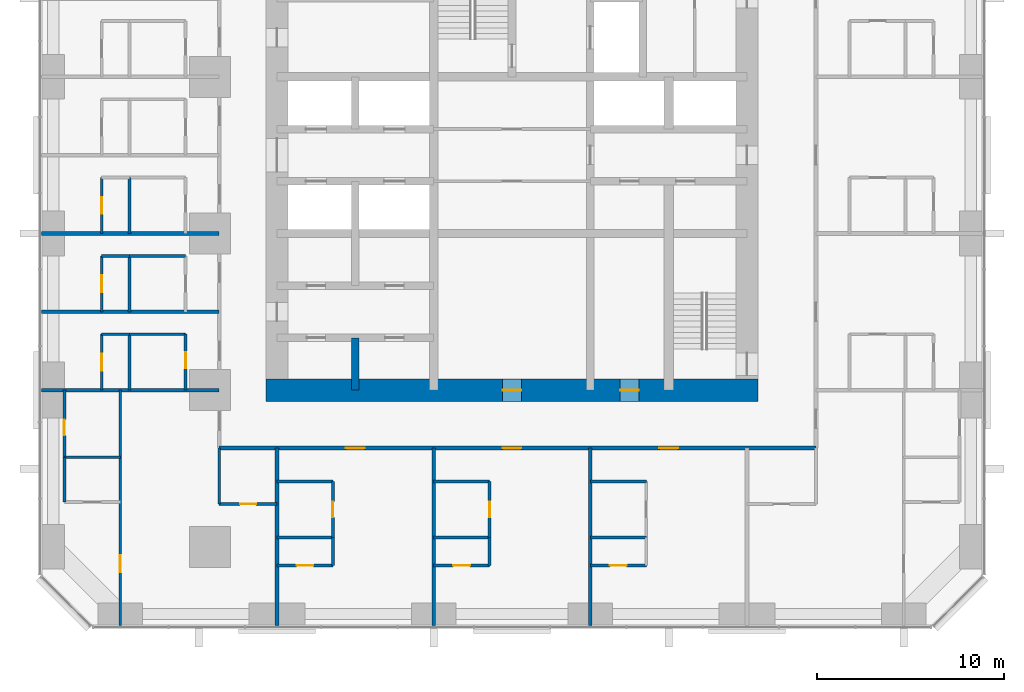
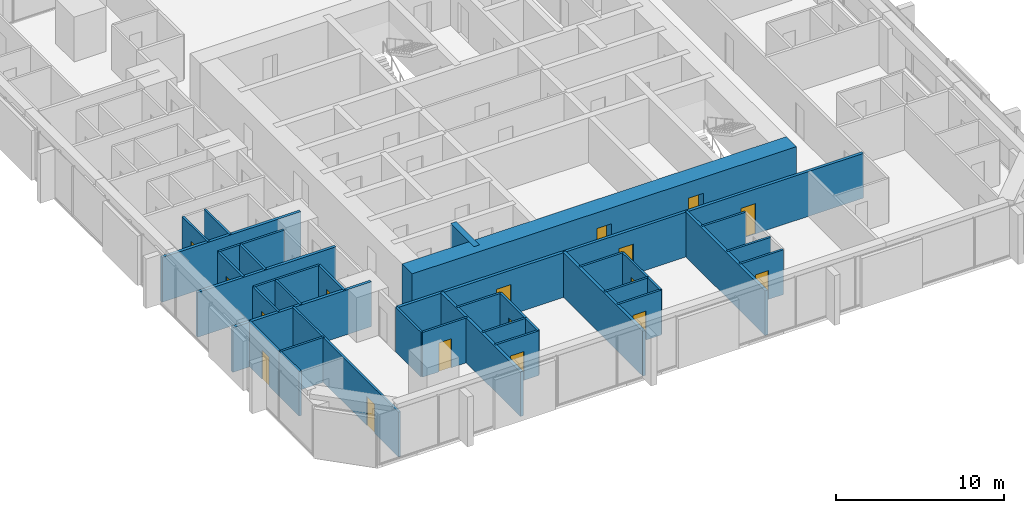
# One storey, part 8 of 13: 39 walls, 17 doors, 17 openings.
"""IFC4 building model written with IfcOpenShell, lengths in metres."""

from ifc_helpers import new_model, si_unit, direction, frame, frame_2d, origin, place, context, subcontext, project, spatial, rectangle, extrude, material, layer, layer_set, type_object, element, fill, save


model = new_model("IFC4")

# Units and contexts
model_context = context("Model", 3, precision=1e-05, world=origin(), true_north=direction((0.0, 1.0)))
body_context = subcontext(model_context, "Body", "Model", "MODEL_VIEW")
ifc_project = project(units=[si_unit("LENGTHUNIT", "METRE"), si_unit("AREAUNIT", "SQUARE_METRE"), si_unit("VOLUMEUNIT", "CUBIC_METRE"), si_unit("PLANEANGLEUNIT", "RADIAN"), si_unit("MASSUNIT", "GRAM", prefix="KILO")], contexts=[model_context])

# Site, building, storey
site_placement = place(None, origin())
site = spatial("IfcSite", under=ifc_project, at=site_placement, CompositionType="ELEMENT")
building_placement = place(site_placement, origin())
building = spatial("IfcBuilding", under=site, at=building_placement, Name="Dunama Terrace Hotel", CompositionType="ELEMENT")
storey_placement = place(building_placement, frame((0.0, 0.0, 162.60009765625)))
storey = spatial("IfcBuildingStorey", under=building, at=storey_placement, Name="L41", CompositionType="ELEMENT", Elevation=162.60009765625)

# Wall, opening, door
ifc_material_1 = material(Name="Gypsum board partition", Category="masonry")
ifc_layer_1 = layer(ifc_material_1, 0.14990234375)
ifc_layer_set_1 = layer_set([ifc_layer_1], Name="Bathroom partition 150")
wall_type_1 = type_object("IfcWallType", Name="Bathroom partition 150", PredefinedType="PARTITIONING", material=ifc_layer_set_1)
wall_1_placement = place(storey_placement, frame((5.39990234375, 13.199951171875, 0.0), z_axis=(0.0, 0.0, 1.0), x_axis=(0.0, 1.0, 0.0)))
wall_1 = element("IfcWall", 1, at=wall_1_placement, inside=storey, type_object=wall_type_1, Name="Bathroom partition 150 L41", PredefinedType="PARTITIONING", context=body_context, shape_type="SweptSolid", body=[
    extrude(rectangle(XDim=3.60009765625, YDim=0.14990234375, at=frame_2d((1.800048828125, 0.0))), origin(), (0.0, 0.0, 1.0), 3.25),
])
opening_1_placement = place(wall_1_placement, frame((1.175048828125, 0.0, 0.0)))
opening_1 = element("IfcOpeningElement", 2, at=opening_1_placement, cuts=wall_1, Name="Opening L41-048", PredefinedType="OPENING", context=body_context, shape_type="SweptSolid", body=[
    extrude(rectangle(XDim=0.85009765625, YDim=2.10009765625, at=frame_2d((0.425048828125, 1.050048828125))), frame((0.0, 0.0849609375, 0.0), z_axis=(0.0, -1.0, 0.0), x_axis=(1.0, 0.0, 0.0)), (0.0, 0.0, 1.0), 0.169921875),
])
ifc_material_2 = material(Name="Timber door with steel frame", Category="steel")
door_type_1 = type_object("IfcDoorType", Name="Bathroom door 850", OperationType="SINGLE_SWING_LEFT", PredefinedType="DOOR", material=ifc_material_2)
door_1_placement = place(opening_1_placement, frame((0.85009765625, 0.0, 0.0), z_axis=(0.0, 0.0, 1.0), x_axis=(-1.0, 0.0, 0.0)))
door_1 = element("IfcDoor", 3, at=door_1_placement, inside=storey, type_object=door_type_1, Name="Door to en-suite bathroom L41-048, type D2", OperationType="SINGLE_SWING_LEFT", OverallHeight=2.10009765625, OverallWidth=0.85009765625, PredefinedType="DOOR", context=body_context, shape_type="SweptSolid", body=[
    extrude(rectangle(XDim=0.85009765625, YDim=2.10009765625, at=frame_2d((0.425048828125, 1.050048828125))), frame((0.0, 0.025146484375, 0.0), z_axis=(0.0, -1.0, 0.0), x_axis=(1.0, 0.0, 0.0)), (0.0, 0.0, 1.0), 0.050048828125),
])
fill(opening_1, door_1)

wall_2_placement = place(storey_placement, frame((11.89990234375, 16.800048828125, 0.0), z_axis=(0.0, 0.0, 1.0), x_axis=(0.0, 1.0, 0.0)))
wall_2 = element("IfcWall", 4, at=wall_2_placement, inside=storey, type_object=wall_type_1, Name="Bathroom partition 150 L41", PredefinedType="PARTITIONING", context=body_context, shape_type="SweptSolid", body=[
    extrude(rectangle(XDim=3.0, YDim=0.14990234375, at=frame_2d((1.5, 0.0))), origin(), (0.0, 0.0, 1.0), 3.25),
])
opening_2_placement = place(wall_2_placement, frame((1.175048828125, 0.0, 0.0)))
opening_2 = element("IfcOpeningElement", 5, at=opening_2_placement, cuts=wall_2, Name="Opening L41-028", PredefinedType="OPENING", context=body_context, shape_type="SweptSolid", body=[
    extrude(rectangle(XDim=0.85009765625, YDim=2.10009765625, at=frame_2d((0.425048828125, 1.050048828125))), frame((0.0, 0.0849609375, 0.0), z_axis=(0.0, -1.0, 0.0), x_axis=(1.0, 0.0, 0.0)), (0.0, 0.0, 1.0), 0.169921875),
])
door_2_placement = place(opening_2_placement, origin())
door_2 = element("IfcDoor", 6, at=door_2_placement, inside=storey, type_object=door_type_1, Name="Door to en-suite bathroom L41-028, type D2", OperationType="SINGLE_SWING_LEFT", OverallHeight=2.10009765625, OverallWidth=0.85009765625, PredefinedType="DOOR", context=body_context, shape_type="SweptSolid", body=[
    extrude(rectangle(XDim=0.85009765625, YDim=2.10009765625, at=frame_2d((0.425048828125, 1.050048828125))), frame((0.0, 0.02490234375, 0.0), z_axis=(0.0, -1.0, 0.0), x_axis=(1.0, 0.0, 0.0)), (0.0, 0.0, 1.0), 0.050048828125),
])
fill(opening_2, door_2)

# Wall
wall_3_placement = place(storey_placement, frame((13.699951171875, 10.699951171875, 0.0), z_axis=(0.0, 0.0, 1.0), x_axis=(0.0, 1.0, 0.0)))
element("IfcWall", 7, at=wall_3_placement, inside=storey, type_object=wall_type_1, Name="Bathroom partition 150 L41", PredefinedType="PARTITIONING", context=body_context, shape_type="SweptSolid", body=[
    extrude(rectangle(XDim=3.0, YDim=0.14990234375, at=frame_2d((1.5, 0.0))), origin(), (0.0, 0.0, 1.0), 3.25),
])

# Wall, opening, door
wall_4_placement = place(storey_placement, frame((19.800048828125, 8.89990234375, 0.0), z_axis=(0.0, 0.0, 1.0), x_axis=(0.0, 1.0, 0.0)))
wall_4 = element("IfcWall", 8, at=wall_4_placement, inside=storey, type_object=wall_type_1, Name="Bathroom partition 150 L41", PredefinedType="PARTITIONING", context=body_context, shape_type="SweptSolid", body=[
    extrude(rectangle(XDim=3.0, YDim=0.14990234375, at=frame_2d((1.5, 0.0))), origin(), (0.0, 0.0, 1.0), 3.25),
])
opening_3_placement = place(wall_4_placement, frame((1.074951171875, 0.0, 0.0)))
opening_3 = element("IfcOpeningElement", 9, at=opening_3_placement, cuts=wall_4, Name="Opening L41-010", PredefinedType="OPENING", context=body_context, shape_type="SweptSolid", body=[
    extrude(rectangle(XDim=0.85009765625, YDim=2.10009765625, at=frame_2d((0.425048828125, 1.050048828125))), frame((0.0, 0.0849609375, 0.0), z_axis=(0.0, -1.0, 0.0), x_axis=(1.0, 0.0, 0.0)), (0.0, 0.0, 1.0), 0.169921875),
])
door_3_placement = place(opening_3_placement, origin())
door_3 = element("IfcDoor", 10, at=door_3_placement, inside=storey, type_object=door_type_1, Name="Door to en-suite bathroom L41-010, type D2", OperationType="SINGLE_SWING_LEFT", OverallHeight=2.10009765625, OverallWidth=0.85009765625, PredefinedType="DOOR", context=body_context, shape_type="SweptSolid", body=[
    extrude(rectangle(XDim=0.85009765625, YDim=2.10009765625, at=frame_2d((0.425048828125, 1.050048828125))), frame((0.0, 0.02490234375, 0.0), z_axis=(0.0, -1.0, 0.0), x_axis=(1.0, 0.0, 0.0)), (0.0, 0.0, 1.0), 0.050048828125),
])
fill(opening_3, door_3)

wall_5_placement = place(storey_placement, frame((28.199951171875, 8.89990234375, 0.0), z_axis=(0.0, 0.0, 1.0), x_axis=(0.0, 1.0, 0.0)))
wall_5 = element("IfcWall", 11, at=wall_5_placement, inside=storey, type_object=wall_type_1, Name="Bathroom partition 150 L41", PredefinedType="PARTITIONING", context=body_context, shape_type="SweptSolid", body=[
    extrude(rectangle(XDim=3.0, YDim=0.14990234375, at=frame_2d((1.5, 0.0))), origin(), (0.0, 0.0, 1.0), 3.25),
])
opening_4_placement = place(wall_5_placement, frame((1.074951171875, 0.0, 0.0)))
opening_4 = element("IfcOpeningElement", 12, at=opening_4_placement, cuts=wall_5, Name="Opening L41-013", PredefinedType="OPENING", context=body_context, shape_type="SweptSolid", body=[
    extrude(rectangle(XDim=0.85009765625, YDim=2.10009765625, at=frame_2d((0.425048828125, 1.050048828125))), frame((0.0, 0.0849609375, 0.0), z_axis=(0.0, -1.0, 0.0), x_axis=(1.0, 0.0, 0.0)), (0.0, 0.0, 1.0), 0.169921875),
])
door_4_placement = place(opening_4_placement, origin())
door_4 = element("IfcDoor", 13, at=door_4_placement, inside=storey, type_object=door_type_1, Name="Door to en-suite bathroom L41-013, type D2", OperationType="SINGLE_SWING_LEFT", OverallHeight=2.10009765625, OverallWidth=0.85009765625, PredefinedType="DOOR", context=body_context, shape_type="SweptSolid", body=[
    extrude(rectangle(XDim=0.85009765625, YDim=2.10009765625, at=frame_2d((0.425048828125, 1.050048828125))), frame((0.0, 0.02490234375, 0.0), z_axis=(0.0, -1.0, 0.0), x_axis=(1.0, 0.0, 0.0)), (0.0, 0.0, 1.0), 0.050048828125),
])
fill(opening_4, door_4)

wall_6_placement = place(storey_placement, frame((13.699951171875, 10.699951171875, 0.0), z_axis=(0.0, 0.0, 1.0), x_axis=(1.0, 0.0, 0.0)))
wall_6 = element("IfcWall", 14, at=wall_6_placement, inside=storey, type_object=wall_type_1, Name="Bathroom partition 150 L41", PredefinedType="PARTITIONING", context=body_context, shape_type="SweptSolid", body=[
    extrude(rectangle(XDim=3.10009765625, YDim=0.14990234375, at=frame_2d((1.550048828125, 0.0))), origin(), (0.0, 0.0, 1.0), 3.25),
])
opening_5_placement = place(wall_6_placement, frame((1.125, 0.0, 0.0)))
opening_5 = element("IfcOpeningElement", 15, at=opening_5_placement, cuts=wall_6, Name="Opening L41-046", PredefinedType="OPENING", context=body_context, shape_type="SweptSolid", body=[
    extrude(rectangle(XDim=0.85009765625, YDim=2.10009765625, at=frame_2d((0.425048828125, 1.050048828125))), frame((0.0, 0.0849609375, 0.0), z_axis=(0.0, -1.0, 0.0), x_axis=(1.0, 0.0, 0.0)), (0.0, 0.0, 1.0), 0.169921875),
])
door_5_placement = place(opening_5_placement, origin())
door_5 = element("IfcDoor", 16, at=door_5_placement, inside=storey, type_object=door_type_1, Name="Door to powder room L41-046, type D2", OperationType="SINGLE_SWING_RIGHT", OverallHeight=2.10009765625, OverallWidth=0.85009765625, PredefinedType="DOOR", context=body_context, shape_type="SweptSolid", body=[
    extrude(rectangle(XDim=0.85009765625, YDim=2.10009765625, at=frame_2d((0.425048828125, 1.050048828125))), frame((0.0, 0.02490234375, 0.0), z_axis=(0.0, -1.0, 0.0), x_axis=(1.0, 0.0, 0.0)), (0.0, 0.0, 1.0), 0.050048828125),
])
fill(opening_5, door_5)

# Walls
for number, where, z_axis, x_axis, name in (
    (17, (16.800048828125, 11.89990234375, 0.0), (0.0, 0.0, 1.0), (1.0, 0.0, 0.0), "Bathroom partition 150 L41"),
    (18, (25.199951171875, 11.89990234375, 0.0), (0.0, 0.0, 1.0), (1.0, 0.0, 0.0), "Bathroom partition 150 L41"),
    (19, (33.60009765625, 11.89990234375, 0.0), (0.0, 0.0, 1.0), (1.0, 0.0, 0.0), "Bathroom partition 150 L41"),
    (20, (8.89990234375, 19.800048828125, 0.0), (0.0, 0.0, 1.0), (1.0, 0.0, 0.0), "Bathroom partition 150 L41"),
    (21, (8.89990234375, 24.0, 0.0), (0.0, 0.0, 1.0), (1.0, 0.0, 0.0), "Bathroom partition 150 L41"),
):
    element("IfcWall", number, at=place(storey_placement, frame(where, z_axis=z_axis, x_axis=x_axis)), inside=storey, type_object=wall_type_1, Name=name, PredefinedType="PARTITIONING", context=body_context, shape_type="SweptSolid", body=[
        extrude(rectangle(XDim=3.0, YDim=0.14990234375, at=frame_2d((1.5, 0.0))), origin(), (0.0, 0.0, 1.0), 3.25),
    ])
ifc_material_3 = material(Name="Concrete C50/60", Category="concrete")
ifc_layer_2 = layer(ifc_material_3, 0.39990234375)
ifc_layer_set_2 = layer_set([ifc_layer_2], Name="Core inner wall 400")
wall_type_2 = type_object("IfcWallType", Name="Core inner wall 400", PredefinedType="SHEAR", material=ifc_layer_set_2)
wall_7_placement = place(storey_placement, frame((21.0, 16.800048828125, -0.35009765625), z_axis=(0.0, 0.0, 1.0), x_axis=(0.0, 1.0, 0.0)))
element("IfcWall", 22, at=wall_7_placement, inside=storey, type_object=wall_type_2, Name="Core inner wall 400 L41", PredefinedType="SHEAR", context=body_context, shape_type="SweptSolid", body=[
    extrude(rectangle(XDim=2.800048828125, YDim=0.39990234375, at=frame_2d((1.39990234375, 0.0))), origin(), (0.0, 0.0, 1.0), 3.60009765625),
])

# Wall, openings, doors
ifc_material_4 = material(Name="Concrete C60/75", Category="concrete")
ifc_layer_3 = layer(ifc_material_4, 1.199951171875)
ifc_layer_set_3 = layer_set([ifc_layer_3], Name="Core wall 1200")
wall_type_3 = type_object("IfcWallType", Name="Core wall 1200", PredefinedType="SHEAR", material=ifc_layer_set_3)
wall_8_placement = place(storey_placement, frame((16.199951171875, 16.800048828125, -0.35009765625), z_axis=(0.0, 0.0, 1.0), x_axis=(1.0, 0.0, 0.0)))
wall_8 = element("IfcWall", 23, at=wall_8_placement, inside=storey, type_object=wall_type_3, Name="Core wall south L41", PredefinedType="SHEAR", context=body_context, shape_type="SweptSolid", body=[
    extrude(rectangle(XDim=26.400146484375, YDim=1.199951171875, at=frame_2d((13.2001953125, 0.0))), origin(), (0.0, 0.0, 1.0), 3.60009765625),
])
opening_6_placement = place(wall_8_placement, frame((12.699951171875, 0.0, 0.35009765625)))
opening_6 = element("IfcOpeningElement", 24, at=opening_6_placement, cuts=wall_8, Name="Opening L41-082", PredefinedType="OPENING", context=body_context, shape_type="SweptSolid", body=[
    extrude(rectangle(XDim=1.0, YDim=2.10009765625, at=frame_2d((0.5, 1.050048828125))), frame((0.0, 0.60986328125, 0.0), z_axis=(0.0, -1.0, 0.0), x_axis=(1.0, 0.0, 0.0)), (0.0, 0.0, 1.0), 1.219970703125),
])
opening_7_placement = place(wall_8_placement, frame((19.0, 0.0, 0.35009765625)))
opening_7 = element("IfcOpeningElement", 25, at=opening_7_placement, cuts=wall_8, Name="Opening L41-083", PredefinedType="OPENING", context=body_context, shape_type="SweptSolid", body=[
    extrude(rectangle(XDim=1.0, YDim=2.10009765625, at=frame_2d((0.5, 1.050048828125))), frame((0.0, 0.60986328125, 0.0), z_axis=(0.0, -1.0, 0.0), x_axis=(1.0, 0.0, 0.0)), (0.0, 0.0, 1.0), 1.219970703125),
])
ifc_material_5 = material(Name="Timber door with steel frame", Category="steel")
door_type_2 = type_object("IfcDoorType", Name="Service door 1000", OperationType="SINGLE_SWING_LEFT", PredefinedType="DOOR", material=ifc_material_5)
door_6_placement = place(opening_6_placement, origin())
door_6 = element("IfcDoor", 26, at=door_6_placement, inside=storey, type_object=door_type_2, Name="Door to corridor air handling room L41-082, type D7", OperationType="SINGLE_SWING_LEFT", OverallHeight=2.10009765625, OverallWidth=1.0, PredefinedType="DOOR", context=body_context, shape_type="SweptSolid", body=[
    extrude(rectangle(XDim=1.0, YDim=2.10009765625, at=frame_2d((0.5, 1.050048828125))), frame((0.0, 0.02490234375, 0.0), z_axis=(0.0, -1.0, 0.0), x_axis=(1.0, 0.0, 0.0)), (0.0, 0.0, 1.0), 0.050048828125),
])
fill(opening_6, door_6)
door_7_placement = place(opening_7_placement, origin())
door_7 = element("IfcDoor", 27, at=door_7_placement, inside=storey, type_object=door_type_2, Name="Door to water riser room L41-083, type D7", OperationType="SINGLE_SWING_RIGHT", OverallHeight=2.10009765625, OverallWidth=1.0, PredefinedType="DOOR", context=body_context, shape_type="SweptSolid", body=[
    extrude(rectangle(XDim=1.0, YDim=2.10009765625, at=frame_2d((0.5, 1.050048828125))), frame((0.0, 0.02490234375, 0.0), z_axis=(0.0, -1.0, 0.0), x_axis=(1.0, 0.0, 0.0)), (0.0, 0.0, 1.0), 0.050048828125),
])
fill(opening_7, door_7)

ifc_material_6 = material(Name="Concrete blockwork", Category="masonry")
ifc_layer_4 = layer(ifc_material_6, 0.199951171875)
ifc_layer_set_4 = layer_set([ifc_layer_4], Name="Corridor partition 200")
wall_type_4 = type_object("IfcWallType", Name="Corridor partition 200", PredefinedType="PARTITIONING", material=ifc_layer_set_4)
wall_9_placement = place(storey_placement, frame((45.699951171875, 13.699951171875, 0.0), z_axis=(0.0, 0.0, 1.0), x_axis=(-1.0, 0.0, 0.0)))
wall_9 = element("IfcWall", 28, at=wall_9_placement, inside=storey, type_object=wall_type_4, Name="Corridor partition 200 L41", PredefinedType="PARTITIONING", context=body_context, shape_type="SweptSolid", body=[
    extrude(rectangle(XDim=32.0, YDim=0.199951171875, at=frame_2d((16.0, 0.0))), origin(), (0.0, 0.0, 1.0), 3.25),
])
opening_8_placement = place(wall_9_placement, frame((24.199951171875, 0.0, 0.0)))
opening_8 = element("IfcOpeningElement", 29, at=opening_8_placement, cuts=wall_9, Name="Opening L41-009", PredefinedType="OPENING", context=body_context, shape_type="SweptSolid", body=[
    extrude(rectangle(XDim=1.0, YDim=2.199951171875, at=frame_2d((0.5, 1.10009765625))), frame((0.0, 0.10986328125, 0.0), z_axis=(0.0, -1.0, 0.0), x_axis=(1.0, 0.0, 0.0)), (0.0, 0.0, 1.0), 0.219970703125),
])
opening_9_placement = place(wall_9_placement, frame((15.800048828125, 0.0, 0.0)))
opening_9 = element("IfcOpeningElement", 30, at=opening_9_placement, cuts=wall_9, Name="Opening L41-012", PredefinedType="OPENING", context=body_context, shape_type="SweptSolid", body=[
    extrude(rectangle(XDim=1.0, YDim=2.199951171875, at=frame_2d((0.5, 1.10009765625))), frame((0.0, 0.10986328125, 0.0), z_axis=(0.0, -1.0, 0.0), x_axis=(1.0, 0.0, 0.0)), (0.0, 0.0, 1.0), 0.219970703125),
])
opening_10_placement = place(wall_9_placement, frame((7.39990234375, 0.0, 0.0)))
opening_10 = element("IfcOpeningElement", 31, at=opening_10_placement, cuts=wall_9, Name="Opening L41-015", PredefinedType="OPENING", context=body_context, shape_type="SweptSolid", body=[
    extrude(rectangle(XDim=1.0, YDim=2.199951171875, at=frame_2d((0.5, 1.10009765625))), frame((0.0, 0.10986328125, 0.0), z_axis=(0.0, -1.0, 0.0), x_axis=(1.0, 0.0, 0.0)), (0.0, 0.0, 1.0), 0.219970703125),
])
ifc_material_7 = material(Name="Timber door with steel frame", Category="steel")
door_type_3 = type_object("IfcDoorType", Name="Guest room door 1000", OperationType="SINGLE_SWING_LEFT", PredefinedType="DOOR", material=ifc_material_7)
door_8_placement = place(opening_8_placement, origin())
door_8 = element("IfcDoor", 32, at=door_8_placement, inside=storey, type_object=door_type_3, Name="Door to junior suite L41-009, type D1", OperationType="SINGLE_SWING_RIGHT", OverallHeight=2.199951171875, OverallWidth=1.0, PredefinedType="DOOR", context=body_context, shape_type="SweptSolid", body=[
    extrude(rectangle(XDim=1.0, YDim=2.199951171875, at=frame_2d((0.5, 1.10009765625))), frame((0.0, 0.02490234375, 0.0), z_axis=(0.0, -1.0, 0.0), x_axis=(1.0, 0.0, 0.0)), (0.0, 0.0, 1.0), 0.050048828125),
])
fill(opening_8, door_8)
door_9_placement = place(opening_9_placement, origin())
door_9 = element("IfcDoor", 33, at=door_9_placement, inside=storey, type_object=door_type_3, Name="Door to junior suite L41-012, type D1", OperationType="SINGLE_SWING_RIGHT", OverallHeight=2.199951171875, OverallWidth=1.0, PredefinedType="DOOR", context=body_context, shape_type="SweptSolid", body=[
    extrude(rectangle(XDim=1.0, YDim=2.199951171875, at=frame_2d((0.5, 1.10009765625))), frame((0.0, 0.02490234375, 0.0), z_axis=(0.0, -1.0, 0.0), x_axis=(1.0, 0.0, 0.0)), (0.0, 0.0, 1.0), 0.050048828125),
])
fill(opening_9, door_9)
door_10_placement = place(opening_10_placement, origin())
door_10 = element("IfcDoor", 34, at=door_10_placement, inside=storey, type_object=door_type_3, Name="Door to junior suite L41-015, type D1", OperationType="SINGLE_SWING_RIGHT", OverallHeight=2.199951171875, OverallWidth=1.0, PredefinedType="DOOR", context=body_context, shape_type="SweptSolid", body=[
    extrude(rectangle(XDim=1.0, YDim=2.199951171875, at=frame_2d((0.5, 1.10009765625))), frame((0.0, 0.02490234375, 0.0), z_axis=(0.0, -1.0, 0.0), x_axis=(1.0, 0.0, 0.0)), (0.0, 0.0, 1.0), 0.050048828125),
])
fill(opening_10, door_10)

# Walls
ifc_material_8 = material(Name="Concrete blockwork", Category="masonry")
ifc_layer_5 = layer(ifc_material_8, 0.199951171875)
ifc_layer_set_5 = layer_set([ifc_layer_5], Name="Party wall 200")
wall_type_5 = type_object("IfcWallType", Name="Party wall 200", PredefinedType="PARTITIONING", material=ifc_layer_set_5)
for number, where, z_axis, x_axis, name in (
    (35, (16.800048828125, 4.181884765625, 0.0), (0.0, 0.0, 1.0), (0.0, 1.0, 0.0), "Party wall 200 L41"),
    (36, (25.199951171875, 4.181884765625, 0.0), (0.0, 0.0, 1.0), (0.0, 1.0, 0.0), "Party wall 200 L41"),
    (37, (33.60009765625, 4.181884765625, 0.0), (0.0, 0.0, 1.0), (0.0, 1.0, 0.0), "Party wall 200 L41"),
    (38, (4.181884765625, 16.800048828125, 0.0), (0.0, 0.0, 1.0), (1.0, 0.0, 0.0), "Party wall 200 L41"),
    (39, (4.181884765625, 21.0, 0.0), (0.0, 0.0, 1.0), (1.0, 0.0, 0.0), "Party wall 200 L41"),
    (40, (4.181884765625, 25.199951171875, 0.0), (0.0, 0.0, 1.0), (1.0, 0.0, 0.0), "Party wall 200 L41"),
):
    element("IfcWall", number, at=place(storey_placement, frame(where, z_axis=z_axis, x_axis=x_axis)), inside=storey, type_object=wall_type_5, Name=name, PredefinedType="PARTITIONING", context=body_context, shape_type="SweptSolid", body=[
        extrude(rectangle(XDim=9.51806640625, YDim=0.199951171875, at=frame_2d((4.759033203125, 0.0))), origin(), (0.0, 0.0, 1.0), 3.25),
    ])
ifc_material_9 = material(Name="Gypsum board partition", Category="masonry")
ifc_layer_6 = layer(ifc_material_9, 0.14990234375)
ifc_layer_set_6 = layer_set([ifc_layer_6], Name="Room partition 150")
wall_type_6 = type_object("IfcWallType", Name="Room partition 150", PredefinedType="PARTITIONING", material=ifc_layer_set_6)
wall_10_placement = place(storey_placement, frame((5.39990234375, 10.800048828125, 0.0), z_axis=(0.0, 0.0, 1.0), x_axis=(0.0, 1.0, 0.0)))
element("IfcWall", 41, at=wall_10_placement, inside=storey, type_object=wall_type_6, Name="Room partition 150 L41", PredefinedType="PARTITIONING", context=body_context, shape_type="SweptSolid", body=[
    extrude(rectangle(XDim=2.39990234375, YDim=0.14990234375, at=frame_2d((1.199951171875, 0.0))), origin(), (0.0, 0.0, 1.0), 3.25),
])

# Wall, opening, door
wall_11_placement = place(storey_placement, frame((7.39990234375, 16.800048828125, 0.0), z_axis=(0.0, 0.0, 1.0), x_axis=(0.0, 1.0, 0.0)))
wall_11 = element("IfcWall", 42, at=wall_11_placement, inside=storey, type_object=wall_type_6, Name="Room partition 150 L41", PredefinedType="PARTITIONING", context=body_context, shape_type="SweptSolid", body=[
    extrude(rectangle(XDim=3.0, YDim=0.14990234375, at=frame_2d((1.5, 0.0))), origin(), (0.0, 0.0, 1.0), 3.25),
])
opening_11_placement = place(wall_11_placement, frame((1.050048828125, 0.0, 0.0)))
opening_11 = element("IfcOpeningElement", 43, at=opening_11_placement, cuts=wall_11, Name="Opening L41-029", PredefinedType="OPENING", context=body_context, shape_type="SweptSolid", body=[
    extrude(rectangle(XDim=0.89990234375, YDim=2.10009765625, at=frame_2d((0.449951171875, 1.050048828125))), frame((0.0, 0.0849609375, 0.0), z_axis=(0.0, -1.0, 0.0), x_axis=(1.0, 0.0, 0.0)), (0.0, 0.0, 1.0), 0.169921875),
])
ifc_material_10 = material(Name="Timber door with steel frame", Category="steel")
door_type_4 = type_object("IfcDoorType", Name="Suite internal door 900", OperationType="SINGLE_SWING_LEFT", PredefinedType="DOOR", material=ifc_material_10)
door_11_placement = place(opening_11_placement, frame((0.89990234375, 0.0, 0.0), z_axis=(0.0, 0.0, 1.0), x_axis=(-1.0, 0.0, 0.0)))
door_11 = element("IfcDoor", 44, at=door_11_placement, inside=storey, type_object=door_type_4, Name="Door to walk-in wardrobe L41-029, type D16", OperationType="SINGLE_SWING_RIGHT", OverallHeight=2.10009765625, OverallWidth=0.89990234375, PredefinedType="DOOR", context=body_context, shape_type="SweptSolid", body=[
    extrude(rectangle(XDim=0.89990234375, YDim=2.10009765625, at=frame_2d((0.449951171875, 1.050048828125))), frame((0.0, 0.025146484375, 0.0), z_axis=(0.0, -1.0, 0.0), x_axis=(1.0, 0.0, 0.0)), (0.0, 0.0, 1.0), 0.050048828125),
])
fill(opening_11, door_11)

wall_12_placement = place(storey_placement, frame((7.39990234375, 21.0, 0.0), z_axis=(0.0, 0.0, 1.0), x_axis=(0.0, 1.0, 0.0)))
wall_12 = element("IfcWall", 45, at=wall_12_placement, inside=storey, type_object=wall_type_6, Name="Room partition 150 L41", PredefinedType="PARTITIONING", context=body_context, shape_type="SweptSolid", body=[
    extrude(rectangle(XDim=3.0, YDim=0.14990234375, at=frame_2d((1.5, 0.0))), origin(), (0.0, 0.0, 1.0), 3.25),
])
opening_12_placement = place(wall_12_placement, frame((1.050048828125, 0.0, 0.0)))
opening_12 = element("IfcOpeningElement", 46, at=opening_12_placement, cuts=wall_12, Name="Opening L41-032", PredefinedType="OPENING", context=body_context, shape_type="SweptSolid", body=[
    extrude(rectangle(XDim=0.89990234375, YDim=2.10009765625, at=frame_2d((0.449951171875, 1.050048828125))), frame((0.0, 0.0849609375, 0.0), z_axis=(0.0, -1.0, 0.0), x_axis=(1.0, 0.0, 0.0)), (0.0, 0.0, 1.0), 0.169921875),
])
door_12_placement = place(opening_12_placement, frame((0.89990234375, 0.0, 0.0), z_axis=(0.0, 0.0, 1.0), x_axis=(-1.0, 0.0, 0.0)))
door_12 = element("IfcDoor", 47, at=door_12_placement, inside=storey, type_object=door_type_4, Name="Door to walk-in wardrobe L41-032, type D16", OperationType="SINGLE_SWING_RIGHT", OverallHeight=2.10009765625, OverallWidth=0.89990234375, PredefinedType="DOOR", context=body_context, shape_type="SweptSolid", body=[
    extrude(rectangle(XDim=0.89990234375, YDim=2.10009765625, at=frame_2d((0.449951171875, 1.050048828125))), frame((0.0, 0.025146484375, 0.0), z_axis=(0.0, -1.0, 0.0), x_axis=(1.0, 0.0, 0.0)), (0.0, 0.0, 1.0), 0.050048828125),
])
fill(opening_12, door_12)

wall_13_placement = place(storey_placement, frame((7.39990234375, 25.199951171875, 0.0), z_axis=(0.0, 0.0, 1.0), x_axis=(0.0, 1.0, 0.0)))
wall_13 = element("IfcWall", 48, at=wall_13_placement, inside=storey, type_object=wall_type_6, Name="Room partition 150 L41", PredefinedType="PARTITIONING", context=body_context, shape_type="SweptSolid", body=[
    extrude(rectangle(XDim=3.0, YDim=0.14990234375, at=frame_2d((1.5, 0.0))), origin(), (0.0, 0.0, 1.0), 3.25),
])
opening_13_placement = place(wall_13_placement, frame((1.050048828125, 0.0, 0.0)))
opening_13 = element("IfcOpeningElement", 49, at=opening_13_placement, cuts=wall_13, Name="Opening L41-035", PredefinedType="OPENING", context=body_context, shape_type="SweptSolid", body=[
    extrude(rectangle(XDim=0.89990234375, YDim=2.10009765625, at=frame_2d((0.449951171875, 1.050048828125))), frame((0.0, 0.0849609375, 0.0), z_axis=(0.0, -1.0, 0.0), x_axis=(1.0, 0.0, 0.0)), (0.0, 0.0, 1.0), 0.169921875),
])
door_13_placement = place(opening_13_placement, frame((0.89990234375, 0.0, 0.0), z_axis=(0.0, 0.0, 1.0), x_axis=(-1.0, 0.0, 0.0)))
door_13 = element("IfcDoor", 50, at=door_13_placement, inside=storey, type_object=door_type_4, Name="Door to walk-in wardrobe L41-035, type D16", OperationType="SINGLE_SWING_RIGHT", OverallHeight=2.10009765625, OverallWidth=0.89990234375, PredefinedType="DOOR", context=body_context, shape_type="SweptSolid", body=[
    extrude(rectangle(XDim=0.89990234375, YDim=2.10009765625, at=frame_2d((0.449951171875, 1.050048828125))), frame((0.0, 0.025146484375, 0.0), z_axis=(0.0, -1.0, 0.0), x_axis=(1.0, 0.0, 0.0)), (0.0, 0.0, 1.0), 0.050048828125),
])
fill(opening_13, door_13)

wall_14_placement = place(storey_placement, frame((8.39990234375, 4.181884765625, 0.0), z_axis=(0.0, 0.0, 1.0), x_axis=(0.0, 1.0, 0.0)))
wall_14 = element("IfcWall", 51, at=wall_14_placement, inside=storey, type_object=wall_type_6, Name="Room partition 150 L41", PredefinedType="PARTITIONING", context=body_context, shape_type="SweptSolid", body=[
    extrude(rectangle(XDim=12.6181640625, YDim=0.14990234375, at=frame_2d((6.30908203125, 0.0))), origin(), (0.0, 0.0, 1.0), 3.25),
])
opening_14_placement = place(wall_14_placement, frame((2.867919921875, 0.0, 0.0)))
opening_14 = element("IfcOpeningElement", 52, at=opening_14_placement, cuts=wall_14, Name="Opening L41-047", PredefinedType="OPENING", context=body_context, shape_type="SweptSolid", body=[
    extrude(rectangle(XDim=0.89990234375, YDim=2.10009765625, at=frame_2d((0.449951171875, 1.050048828125))), frame((0.0, 0.0849609375, 0.0), z_axis=(0.0, -1.0, 0.0), x_axis=(1.0, 0.0, 0.0)), (0.0, 0.0, 1.0), 0.169921875),
])
door_14_placement = place(opening_14_placement, origin())
door_14 = element("IfcDoor", 53, at=door_14_placement, inside=storey, type_object=door_type_4, Name="Door to corner suite bedroom L41-047, type D16", OperationType="SINGLE_SWING_LEFT", OverallHeight=2.10009765625, OverallWidth=0.89990234375, PredefinedType="DOOR", context=body_context, shape_type="SweptSolid", body=[
    extrude(rectangle(XDim=0.89990234375, YDim=2.10009765625, at=frame_2d((0.449951171875, 1.050048828125))), frame((0.0, 0.02490234375, 0.0), z_axis=(0.0, -1.0, 0.0), x_axis=(1.0, 0.0, 0.0)), (0.0, 0.0, 1.0), 0.050048828125),
])
fill(opening_14, door_14)

# Walls
for number, where, z_axis, x_axis, name in (
    (54, (8.89990234375, 16.800048828125, 0.0), (0.0, 0.0, 1.0), (0.0, 1.0, 0.0), "Room partition 150 L41"),
    (55, (8.89990234375, 21.0, 0.0), (0.0, 0.0, 1.0), (0.0, 1.0, 0.0), "Room partition 150 L41"),
    (56, (8.89990234375, 25.199951171875, 0.0), (0.0, 0.0, 1.0), (0.0, 1.0, 0.0), "Room partition 150 L41"),
):
    element("IfcWall", number, at=place(storey_placement, frame(where, z_axis=z_axis, x_axis=x_axis)), inside=storey, type_object=wall_type_6, Name=name, PredefinedType="PARTITIONING", context=body_context, shape_type="SweptSolid", body=[
        extrude(rectangle(XDim=3.0, YDim=0.14990234375, at=frame_2d((1.5, 0.0))), origin(), (0.0, 0.0, 1.0), 3.25),
    ])
for number, where, z_axis, x_axis, name in (
    (57, (19.800048828125, 7.39990234375, 0.0), (0.0, 0.0, 1.0), (0.0, 1.0, 0.0), "Room partition 150 L41"),
    (58, (28.199951171875, 7.39990234375, 0.0), (0.0, 0.0, 1.0), (0.0, 1.0, 0.0), "Room partition 150 L41"),
):
    element("IfcWall", number, at=place(storey_placement, frame(where, z_axis=z_axis, x_axis=x_axis)), inside=storey, type_object=wall_type_6, Name=name, PredefinedType="PARTITIONING", context=body_context, shape_type="SweptSolid", body=[
        extrude(rectangle(XDim=1.5, YDim=0.14990234375, at=frame_2d((0.75, 0.0))), origin(), (0.0, 0.0, 1.0), 3.25),
    ])

# Wall, opening, door
wall_15_placement = place(storey_placement, frame((16.800048828125, 7.39990234375, 0.0), z_axis=(0.0, 0.0, 1.0), x_axis=(1.0, 0.0, 0.0)))
wall_15 = element("IfcWall", 59, at=wall_15_placement, inside=storey, type_object=wall_type_6, Name="Room partition 150 L41", PredefinedType="PARTITIONING", context=body_context, shape_type="SweptSolid", body=[
    extrude(rectangle(XDim=3.0, YDim=0.14990234375, at=frame_2d((1.5, 0.0))), origin(), (0.0, 0.0, 1.0), 3.25),
])
opening_15_placement = place(wall_15_placement, frame((1.050048828125, 0.0, 0.0)))
opening_15 = element("IfcOpeningElement", 60, at=opening_15_placement, cuts=wall_15, Name="Opening L41-011", PredefinedType="OPENING", context=body_context, shape_type="SweptSolid", body=[
    extrude(rectangle(XDim=0.89990234375, YDim=2.10009765625, at=frame_2d((0.449951171875, 1.050048828125))), frame((0.0, 0.0849609375, 0.0), z_axis=(0.0, -1.0, 0.0), x_axis=(1.0, 0.0, 0.0)), (0.0, 0.0, 1.0), 0.169921875),
])
door_15_placement = place(opening_15_placement, origin())
door_15 = element("IfcDoor", 61, at=door_15_placement, inside=storey, type_object=door_type_4, Name="Door to walk-in wardrobe L41-011, type D16", OperationType="SINGLE_SWING_LEFT", OverallHeight=2.10009765625, OverallWidth=0.89990234375, PredefinedType="DOOR", context=body_context, shape_type="SweptSolid", body=[
    extrude(rectangle(XDim=0.89990234375, YDim=2.10009765625, at=frame_2d((0.449951171875, 1.050048828125))), frame((0.0, 0.02490234375, 0.0), z_axis=(0.0, -1.0, 0.0), x_axis=(1.0, 0.0, 0.0)), (0.0, 0.0, 1.0), 0.050048828125),
])
fill(opening_15, door_15)

wall_16_placement = place(storey_placement, frame((25.199951171875, 7.39990234375, 0.0), z_axis=(0.0, 0.0, 1.0), x_axis=(1.0, 0.0, 0.0)))
wall_16 = element("IfcWall", 62, at=wall_16_placement, inside=storey, type_object=wall_type_6, Name="Room partition 150 L41", PredefinedType="PARTITIONING", context=body_context, shape_type="SweptSolid", body=[
    extrude(rectangle(XDim=3.0, YDim=0.14990234375, at=frame_2d((1.5, 0.0))), origin(), (0.0, 0.0, 1.0), 3.25),
])
opening_16_placement = place(wall_16_placement, frame((1.050048828125, 0.0, 0.0)))
opening_16 = element("IfcOpeningElement", 63, at=opening_16_placement, cuts=wall_16, Name="Opening L41-014", PredefinedType="OPENING", context=body_context, shape_type="SweptSolid", body=[
    extrude(rectangle(XDim=0.89990234375, YDim=2.10009765625, at=frame_2d((0.449951171875, 1.050048828125))), frame((0.0, 0.0849609375, 0.0), z_axis=(0.0, -1.0, 0.0), x_axis=(1.0, 0.0, 0.0)), (0.0, 0.0, 1.0), 0.169921875),
])
door_16_placement = place(opening_16_placement, origin())
door_16 = element("IfcDoor", 64, at=door_16_placement, inside=storey, type_object=door_type_4, Name="Door to walk-in wardrobe L41-014, type D16", OperationType="SINGLE_SWING_LEFT", OverallHeight=2.10009765625, OverallWidth=0.89990234375, PredefinedType="DOOR", context=body_context, shape_type="SweptSolid", body=[
    extrude(rectangle(XDim=0.89990234375, YDim=2.10009765625, at=frame_2d((0.449951171875, 1.050048828125))), frame((0.0, 0.02490234375, 0.0), z_axis=(0.0, -1.0, 0.0), x_axis=(1.0, 0.0, 0.0)), (0.0, 0.0, 1.0), 0.050048828125),
])
fill(opening_16, door_16)

wall_17_placement = place(storey_placement, frame((33.60009765625, 7.39990234375, 0.0), z_axis=(0.0, 0.0, 1.0), x_axis=(1.0, 0.0, 0.0)))
wall_17 = element("IfcWall", 65, at=wall_17_placement, inside=storey, type_object=wall_type_6, Name="Room partition 150 L41", PredefinedType="PARTITIONING", context=body_context, shape_type="SweptSolid", body=[
    extrude(rectangle(XDim=3.0, YDim=0.14990234375, at=frame_2d((1.5, 0.0))), origin(), (0.0, 0.0, 1.0), 3.25),
])
opening_17_placement = place(wall_17_placement, frame((1.050048828125, 0.0, 0.0)))
opening_17 = element("IfcOpeningElement", 66, at=opening_17_placement, cuts=wall_17, Name="Opening L41-017", PredefinedType="OPENING", context=body_context, shape_type="SweptSolid", body=[
    extrude(rectangle(XDim=0.89990234375, YDim=2.10009765625, at=frame_2d((0.449951171875, 1.050048828125))), frame((0.0, 0.0849609375, 0.0), z_axis=(0.0, -1.0, 0.0), x_axis=(1.0, 0.0, 0.0)), (0.0, 0.0, 1.0), 0.169921875),
])
door_17_placement = place(opening_17_placement, origin())
door_17 = element("IfcDoor", 67, at=door_17_placement, inside=storey, type_object=door_type_4, Name="Door to walk-in wardrobe L41-017, type D16", OperationType="SINGLE_SWING_LEFT", OverallHeight=2.10009765625, OverallWidth=0.89990234375, PredefinedType="DOOR", context=body_context, shape_type="SweptSolid", body=[
    extrude(rectangle(XDim=0.89990234375, YDim=2.10009765625, at=frame_2d((0.449951171875, 1.050048828125))), frame((0.0, 0.02490234375, 0.0), z_axis=(0.0, -1.0, 0.0), x_axis=(1.0, 0.0, 0.0)), (0.0, 0.0, 1.0), 0.050048828125),
])
fill(opening_17, door_17)

# Walls
for number, where, z_axis, x_axis, name in (
    (68, (16.800048828125, 8.89990234375, 0.0), (0.0, 0.0, 1.0), (1.0, 0.0, 0.0), "Room partition 150 L41"),
    (69, (25.199951171875, 8.89990234375, 0.0), (0.0, 0.0, 1.0), (1.0, 0.0, 0.0), "Room partition 150 L41"),
    (70, (33.60009765625, 8.89990234375, 0.0), (0.0, 0.0, 1.0), (1.0, 0.0, 0.0), "Room partition 150 L41"),
    (71, (5.39990234375, 13.199951171875, 0.0), (0.0, 0.0, 1.0), (1.0, 0.0, 0.0), "Room partition 150 L41"),
):
    element("IfcWall", number, at=place(storey_placement, frame(where, z_axis=z_axis, x_axis=x_axis)), inside=storey, type_object=wall_type_6, Name=name, PredefinedType="PARTITIONING", context=body_context, shape_type="SweptSolid", body=[
        extrude(rectangle(XDim=3.0, YDim=0.14990234375, at=frame_2d((1.5, 0.0))), origin(), (0.0, 0.0, 1.0), 3.25),
    ])
for number, where, z_axis, x_axis, name in (
    (72, (7.39990234375, 19.800048828125, 0.0), (0.0, 0.0, 1.0), (1.0, 0.0, 0.0), "Room partition 150 L41"),
    (73, (7.39990234375, 24.0, 0.0), (0.0, 0.0, 1.0), (1.0, 0.0, 0.0), "Room partition 150 L41"),
):
    element("IfcWall", number, at=place(storey_placement, frame(where, z_axis=z_axis, x_axis=x_axis)), inside=storey, type_object=wall_type_6, Name=name, PredefinedType="PARTITIONING", context=body_context, shape_type="SweptSolid", body=[
        extrude(rectangle(XDim=1.5, YDim=0.14990234375, at=frame_2d((0.75, 0.0))), origin(), (0.0, 0.0, 1.0), 3.25),
    ])

save(model, "model.ifc")
